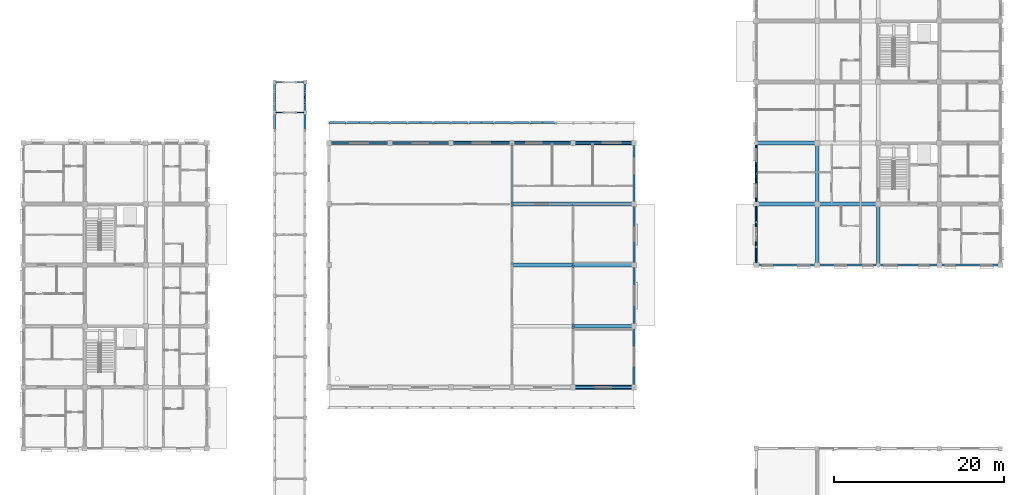
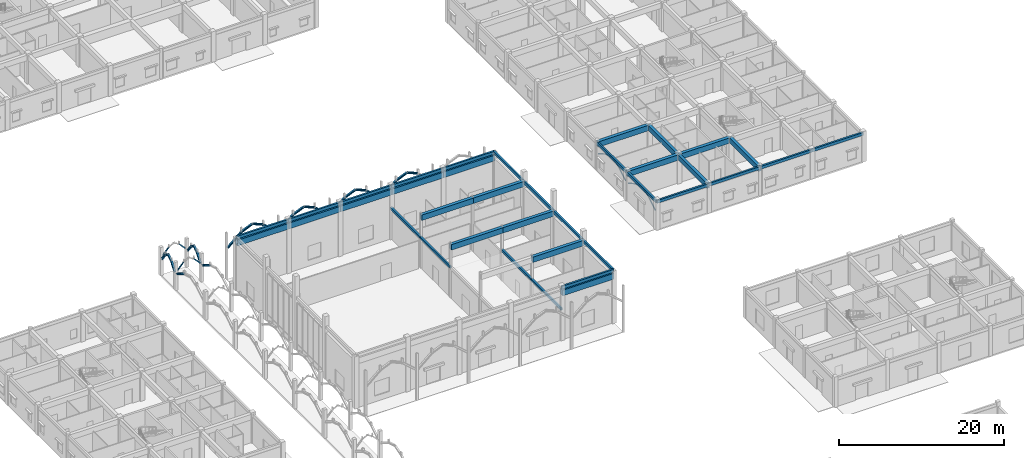
# One storey, part 26 of 138: 37 beams, 37 members.
"""IFC4 building model written with IfcOpenShell, lengths in metres."""

from ifc_helpers import new_model, si_unit, direction, frame, origin, origin_2d, place, context, subcontext, project, spatial, rectangle, hollow_rectangle, i_section, extrude, material, material_profile, profile_set, type_object, element, save


model = new_model("IFC4")

# Units and contexts
model_context = context("Model", 3, precision=1e-05, world=origin(), true_north=direction((0.0, 1.0)))
body_context = subcontext(model_context, "Body", "Model", "MODEL_VIEW")
ifc_project = project(units=[si_unit("LENGTHUNIT", "METRE"), si_unit("AREAUNIT", "SQUARE_METRE"), si_unit("VOLUMEUNIT", "CUBIC_METRE"), si_unit("PLANEANGLEUNIT", "RADIAN"), si_unit("MASSUNIT", "GRAM", prefix="KILO"), si_unit("THERMODYNAMICTEMPERATUREUNIT", "KELVIN"), si_unit("POWERUNIT", "WATT")], contexts=[model_context])

# Site, building, storey
site_placement = place(None, origin())
site = spatial("IfcSite", under=ifc_project, at=site_placement, CompositionType="ELEMENT")
building_placement = place(site_placement, origin())
building = spatial("IfcBuilding", under=site, at=building_placement, Name="Tavuni Mirador Residences", CompositionType="ELEMENT")
storey_placement = place(building_placement, origin())
storey = spatial("IfcBuildingStorey", under=building, at=storey_placement, Name="L00", CompositionType="ELEMENT", Elevation=0.0)

# Beams
ifc_material_1 = material(Name="Precast concrete C40/50", Category="concrete")
ifc_material_profile_1 = material_profile(ifc_material_1, rectangle(XDim=0.39990234375, YDim=0.75, at=origin_2d()), Name="RC 400x750", Category="concrete")
ifc_profile_set_1 = profile_set([ifc_material_profile_1], Name="Precast concrete C40/50")
beam_type_1 = type_object("IfcBeamType", Name="BT-G750", PredefinedType="USERDEFINED", material=ifc_profile_set_1)
beam_1_placement = place(storey_placement, frame((97.199951171875, 86.39990234375, 3.864990234375), z_axis=(0.0, 1.0, 0.0), x_axis=(-1.0, 0.0, 0.0)))
element("IfcBeam", 1, at=beam_1_placement, inside=storey, type_object=beam_type_1, Name="BMY-BLK-D-L00-01-00", ObjectType="GIRDER", PredefinedType="USERDEFINED", context=body_context, shape_type="SweptSolid", body=[
    extrude(rectangle(XDim=0.39990234375, YDim=0.75, at=origin_2d()), origin(), (0.0, 0.0, 1.0), 7.2001953125),
])
beam_2_placement = place(storey_placement, frame((97.199951171875, 93.60009765625, 3.864990234375), z_axis=(0.0, 1.0, 0.0), x_axis=(-1.0, 0.0, 0.0)))
element("IfcBeam", 2, at=beam_2_placement, inside=storey, type_object=beam_type_1, Name="BMY-BLK-D-L00-01-01", ObjectType="GIRDER", PredefinedType="USERDEFINED", context=body_context, shape_type="SweptSolid", body=[
    extrude(rectangle(XDim=0.39990234375, YDim=0.75, at=origin_2d()), origin(), (0.0, 0.0, 1.0), 7.199951171875),
])
beam_3_placement = place(storey_placement, frame((104.39990234375, 86.39990234375, 3.864990234375), z_axis=(0.0, 1.0, 0.0), x_axis=(-1.0, 0.0, 0.0)))
element("IfcBeam", 3, at=beam_3_placement, inside=storey, type_object=beam_type_1, Name="BMY-BLK-D-L00-02-00", ObjectType="GIRDER", PredefinedType="USERDEFINED", context=body_context, shape_type="SweptSolid", body=[
    extrude(rectangle(XDim=0.39990234375, YDim=0.75, at=origin_2d()), origin(), (0.0, 0.0, 1.0), 7.2001953125),
])
ifc_material_profile_2 = material_profile(ifc_material_1, rectangle(XDim=0.449951171875, YDim=0.800048828125, at=origin_2d()), Name="RC 450x800", Category="concrete")
ifc_profile_set_2 = profile_set([ifc_material_profile_2], Name="Precast concrete C40/50")
beam_type_2 = type_object("IfcBeamType", Name="BT-G800", PredefinedType="USERDEFINED", material=ifc_profile_set_2)
for number, where, z_axis, x_axis, name in (
    (4, (90.0, 93.60009765625, 3.840087890625), (1.0, 0.0, 0.0), (0.0, 1.0, 0.0), "BMX-BLK-D-L00-00-01"),
    (5, (97.199951171875, 93.60009765625, 3.840087890625), (1.0, 0.0, 0.0), (0.0, 1.0, 0.0), "BMX-BLK-D-L00-01-01"),
    (6, (90.0, 100.800048828125, 3.840087890625), (1.0, 0.0, 0.0), (0.0, 1.0, 0.0), "BMX-BLK-D-L00-00-02"),
):
    element("IfcBeam", number, at=place(storey_placement, frame(where, z_axis=z_axis, x_axis=x_axis)), inside=storey, type_object=beam_type_2, Name=name, ObjectType="GIRDER", PredefinedType="USERDEFINED", context=body_context, shape_type="SweptSolid", body=[
        extrude(rectangle(XDim=0.449951171875, YDim=0.800048828125, at=origin_2d()), origin(), (0.0, 0.0, 1.0), 7.199951171875),
    ])
beam_4_placement = place(storey_placement, frame((68.39990234375, 79.199951171875, 7.469970703125), z_axis=(1.0, 0.0, 0.0), x_axis=(0.0, 1.0, 0.0)))
element("IfcBeam", 7, at=beam_4_placement, inside=storey, type_object=beam_type_2, Name="BMX-PAV-HALL-L00-04-01", ObjectType="GIRDER", PredefinedType="USERDEFINED", context=body_context, shape_type="SweptSolid", body=[
    extrude(rectangle(XDim=0.449951171875, YDim=0.800048828125, at=origin_2d()), origin(), (0.0, 0.0, 1.0), 7.2001953125),
])
beam_5_placement = place(storey_placement, frame((61.199951171875, 86.39990234375, 7.469970703125), z_axis=(1.0, 0.0, 0.0), x_axis=(0.0, 1.0, 0.0)))
element("IfcBeam", 8, at=beam_5_placement, inside=storey, type_object=beam_type_2, Name="BMX-PAV-HALL-L00-03-02", ObjectType="GIRDER", PredefinedType="USERDEFINED", context=body_context, shape_type="SweptSolid", body=[
    extrude(rectangle(XDim=0.449951171875, YDim=0.800048828125, at=origin_2d()), origin(), (0.0, 0.0, 1.0), 7.199951171875),
])
beam_6_placement = place(storey_placement, frame((68.39990234375, 86.39990234375, 7.469970703125), z_axis=(1.0, 0.0, 0.0), x_axis=(0.0, 1.0, 0.0)))
element("IfcBeam", 9, at=beam_6_placement, inside=storey, type_object=beam_type_2, Name="BMX-PAV-HALL-L00-04-02", ObjectType="GIRDER", PredefinedType="USERDEFINED", context=body_context, shape_type="SweptSolid", body=[
    extrude(rectangle(XDim=0.449951171875, YDim=0.800048828125, at=origin_2d()), origin(), (0.0, 0.0, 1.0), 7.2001953125),
])
beam_7_placement = place(storey_placement, frame((61.199951171875, 93.60009765625, 7.469970703125), z_axis=(1.0, 0.0, 0.0), x_axis=(0.0, 1.0, 0.0)))
element("IfcBeam", 10, at=beam_7_placement, inside=storey, type_object=beam_type_2, Name="BMX-PAV-HALL-L00-03-03", ObjectType="GIRDER", PredefinedType="USERDEFINED", context=body_context, shape_type="SweptSolid", body=[
    extrude(rectangle(XDim=0.449951171875, YDim=0.800048828125, at=origin_2d()), origin(), (0.0, 0.0, 1.0), 7.199951171875),
])
beam_8_placement = place(storey_placement, frame((68.39990234375, 93.60009765625, 7.469970703125), z_axis=(1.0, 0.0, 0.0), x_axis=(0.0, 1.0, 0.0)))
element("IfcBeam", 11, at=beam_8_placement, inside=storey, type_object=beam_type_2, Name="BMX-PAV-HALL-L00-04-03", ObjectType="GIRDER", PredefinedType="USERDEFINED", context=body_context, shape_type="SweptSolid", body=[
    extrude(rectangle(XDim=0.449951171875, YDim=0.800048828125, at=origin_2d()), origin(), (0.0, 0.0, 1.0), 7.2001953125),
])
ifc_material_profile_3 = material_profile(ifc_material_1, rectangle(XDim=0.5, YDim=0.85009765625, at=origin_2d()), Name="RC 500x850", Category="concrete")
ifc_profile_set_3 = profile_set([ifc_material_profile_3], Name="Precast concrete C40/50")
beam_type_3 = type_object("IfcBeamType", Name="BT-G850", PredefinedType="USERDEFINED", material=ifc_profile_set_3)
beam_9_placement = place(storey_placement, frame((68.39990234375, 72.0, 6.949951171875), z_axis=(1.0, 0.0, 0.0), x_axis=(0.0, 1.0, 0.0)))
element("IfcBeam", 12, at=beam_9_placement, inside=storey, type_object=beam_type_3, Name="HALL-RING-S-05", ObjectType="GIRDER", PredefinedType="USERDEFINED", context=body_context, shape_type="SweptSolid", body=[
    extrude(rectangle(XDim=0.5, YDim=0.85009765625, at=origin_2d()), origin(), (0.0, 0.0, 1.0), 7.2001953125),
])
for number, where, z_axis, x_axis, name in (
    (13, (39.60009765625, 100.800048828125, 6.949951171875), (1.0, 0.0, 0.0), (0.0, 1.0, 0.0), "HALL-RING-N-01"),
    (14, (46.800048828125, 100.800048828125, 6.949951171875), (1.0, 0.0, 0.0), (0.0, 1.0, 0.0), "HALL-RING-N-02"),
    (15, (54.0, 100.800048828125, 6.949951171875), (1.0, 0.0, 0.0), (0.0, 1.0, 0.0), "HALL-RING-N-03"),
    (16, (61.199951171875, 100.800048828125, 6.949951171875), (1.0, 0.0, 0.0), (0.0, 1.0, 0.0), "HALL-RING-N-04"),
):
    element("IfcBeam", number, at=place(storey_placement, frame(where, z_axis=z_axis, x_axis=x_axis)), inside=storey, type_object=beam_type_3, Name=name, ObjectType="GIRDER", PredefinedType="USERDEFINED", context=body_context, shape_type="SweptSolid", body=[
        extrude(rectangle(XDim=0.5, YDim=0.85009765625, at=origin_2d()), origin(), (0.0, 0.0, 1.0), 7.199951171875),
    ])
beam_10_placement = place(storey_placement, frame((68.39990234375, 100.800048828125, 6.949951171875), z_axis=(1.0, 0.0, 0.0), x_axis=(0.0, 1.0, 0.0)))
element("IfcBeam", 17, at=beam_10_placement, inside=storey, type_object=beam_type_3, Name="HALL-RING-N-05", ObjectType="GIRDER", PredefinedType="USERDEFINED", context=body_context, shape_type="SweptSolid", body=[
    extrude(rectangle(XDim=0.5, YDim=0.85009765625, at=origin_2d()), origin(), (0.0, 0.0, 1.0), 7.2001953125),
])
ifc_material_profile_4 = material_profile(ifc_material_1, rectangle(XDim=0.25, YDim=0.35009765625, at=origin_2d()), Name="PC 250x350", Category="concrete")
ifc_profile_set_4 = profile_set([ifc_material_profile_4], Name="Precast concrete C40/50")
beam_type_4 = type_object("IfcBeamType", Name="BT-LN350", PredefinedType="LINTEL", material=ifc_profile_set_4)
beam_11_placement = place(storey_placement, frame((61.199951171875, 86.39990234375, 4.449951171875), z_axis=(0.0, 1.0, 0.0), x_axis=(-1.0, 0.0, 0.0)))
element("IfcBeam", 18, at=beam_11_placement, inside=storey, type_object=beam_type_4, Name="LNT-HALL-F-03", PredefinedType="LINTEL", context=body_context, shape_type="SweptSolid", body=[
    extrude(rectangle(XDim=0.25, YDim=0.35009765625, at=origin_2d()), origin(), (0.0, 0.0, 1.0), 7.2001953125),
])
for number, where, z_axis, x_axis, name in (
    (19, (61.199951171875, 93.60009765625, 4.449951171875), (0.0, 1.0, 0.0), (-1.0, 0.0, 0.0), "LNT-HALL-F-04"),
    (20, (68.39990234375, 72.0, 4.449951171875), (0.0, 1.0, 0.0), (-1.0, 0.0, 0.0), "LNT-HALL-E-01"),
    (21, (68.39990234375, 79.199951171875, 4.449951171875), (0.0, 1.0, 0.0), (-1.0, 0.0, 0.0), "LNT-HALL-E-02"),
):
    element("IfcBeam", number, at=place(storey_placement, frame(where, z_axis=z_axis, x_axis=x_axis)), inside=storey, type_object=beam_type_4, Name=name, PredefinedType="LINTEL", context=body_context, shape_type="SweptSolid", body=[
        extrude(rectangle(XDim=0.25, YDim=0.35009765625, at=origin_2d()), origin(), (0.0, 0.0, 1.0), 7.199951171875),
    ])
ifc_material_profile_5 = material_profile(ifc_material_1, rectangle(XDim=0.25, YDim=0.419921875, at=origin_2d()), Name="PC 250x420", Category="concrete")
ifc_profile_set_5 = profile_set([ifc_material_profile_5], Name="Precast concrete C40/50")
beam_type_5 = type_object("IfcBeamType", Name="BT-SP420", PredefinedType="SPANDREL", material=ifc_profile_set_5)
for number, where, z_axis, x_axis, name in (
    (22, (90.0, 86.39990234375, 4.030029296875), (1.0, 0.0, 0.0), (0.0, 1.0, 0.0), "BMX-BLK-D-L00-00-00"),
    (23, (97.199951171875, 86.39990234375, 4.030029296875), (1.0, 0.0, 0.0), (0.0, 1.0, 0.0), "BMX-BLK-D-L00-01-00"),
):
    element("IfcBeam", number, at=place(storey_placement, frame(where, z_axis=z_axis, x_axis=x_axis)), inside=storey, type_object=beam_type_5, Name=name, PredefinedType="SPANDREL", context=body_context, shape_type="SweptSolid", body=[
        extrude(rectangle(XDim=0.25, YDim=0.419921875, at=origin_2d()), origin(), (0.0, 0.0, 1.0), 7.199951171875),
    ])
beam_12_placement = place(storey_placement, frame((104.39990234375, 86.39990234375, 4.030029296875), z_axis=(1.0, 0.0, 0.0), x_axis=(0.0, 1.0, 0.0)))
element("IfcBeam", 24, at=beam_12_placement, inside=storey, type_object=beam_type_5, Name="BMX-BLK-D-L00-02-00", PredefinedType="SPANDREL", context=body_context, shape_type="SweptSolid", body=[
    extrude(rectangle(XDim=0.25, YDim=0.419921875, at=origin_2d()), origin(), (0.0, 0.0, 1.0), 7.2001953125),
])
beam_13_placement = place(storey_placement, frame((111.60009765625, 86.39990234375, 4.030029296875), z_axis=(1.0, 0.0, 0.0), x_axis=(0.0, 1.0, 0.0)))
element("IfcBeam", 25, at=beam_13_placement, inside=storey, type_object=beam_type_5, Name="BMX-BLK-D-L00-03-00", PredefinedType="SPANDREL", context=body_context, shape_type="SweptSolid", body=[
    extrude(rectangle(XDim=0.25, YDim=0.419921875, at=origin_2d()), origin(), (0.0, 0.0, 1.0), 7.199951171875),
])
beam_14_placement = place(storey_placement, frame((90.0, 86.39990234375, 4.030029296875), z_axis=(0.0, 1.0, 0.0), x_axis=(-1.0, 0.0, 0.0)))
element("IfcBeam", 26, at=beam_14_placement, inside=storey, type_object=beam_type_5, Name="BMY-BLK-D-L00-00-00", PredefinedType="SPANDREL", context=body_context, shape_type="SweptSolid", body=[
    extrude(rectangle(XDim=0.25, YDim=0.419921875, at=origin_2d()), origin(), (0.0, 0.0, 1.0), 7.2001953125),
])
beam_15_placement = place(storey_placement, frame((90.0, 93.60009765625, 4.030029296875), z_axis=(0.0, 1.0, 0.0), x_axis=(-1.0, 0.0, 0.0)))
element("IfcBeam", 27, at=beam_15_placement, inside=storey, type_object=beam_type_5, Name="BMY-BLK-D-L00-00-01", PredefinedType="SPANDREL", context=body_context, shape_type="SweptSolid", body=[
    extrude(rectangle(XDim=0.25, YDim=0.419921875, at=origin_2d()), origin(), (0.0, 0.0, 1.0), 7.199951171875),
])
beam_16_placement = place(storey_placement, frame((68.39990234375, 72.0, 7.659912109375), z_axis=(1.0, 0.0, 0.0), x_axis=(0.0, 1.0, 0.0)))
element("IfcBeam", 28, at=beam_16_placement, inside=storey, type_object=beam_type_5, Name="BMX-PAV-HALL-L00-04-00", PredefinedType="SPANDREL", context=body_context, shape_type="SweptSolid", body=[
    extrude(rectangle(XDim=0.25, YDim=0.419921875, at=origin_2d()), origin(), (0.0, 0.0, 1.0), 7.2001953125),
])
for number, where, z_axis, x_axis, name in (
    (29, (39.60009765625, 100.800048828125, 7.659912109375), (1.0, 0.0, 0.0), (0.0, 1.0, 0.0), "BMX-PAV-HALL-L00-00-04"),
    (30, (46.800048828125, 100.800048828125, 7.659912109375), (1.0, 0.0, 0.0), (0.0, 1.0, 0.0), "BMX-PAV-HALL-L00-01-04"),
    (31, (54.0, 100.800048828125, 7.659912109375), (1.0, 0.0, 0.0), (0.0, 1.0, 0.0), "BMX-PAV-HALL-L00-02-04"),
    (32, (61.199951171875, 100.800048828125, 7.659912109375), (1.0, 0.0, 0.0), (0.0, 1.0, 0.0), "BMX-PAV-HALL-L00-03-04"),
):
    element("IfcBeam", number, at=place(storey_placement, frame(where, z_axis=z_axis, x_axis=x_axis)), inside=storey, type_object=beam_type_5, Name=name, PredefinedType="SPANDREL", context=body_context, shape_type="SweptSolid", body=[
        extrude(rectangle(XDim=0.25, YDim=0.419921875, at=origin_2d()), origin(), (0.0, 0.0, 1.0), 7.199951171875),
    ])
beam_17_placement = place(storey_placement, frame((68.39990234375, 100.800048828125, 7.659912109375), z_axis=(1.0, 0.0, 0.0), x_axis=(0.0, 1.0, 0.0)))
element("IfcBeam", 33, at=beam_17_placement, inside=storey, type_object=beam_type_5, Name="BMX-PAV-HALL-L00-04-04", PredefinedType="SPANDREL", context=body_context, shape_type="SweptSolid", body=[
    extrude(rectangle(XDim=0.25, YDim=0.419921875, at=origin_2d()), origin(), (0.0, 0.0, 1.0), 7.2001953125),
])
for number, where, z_axis, x_axis, name in (
    (34, (75.60009765625, 72.0, 7.659912109375), (0.0, 1.0, 0.0), (-1.0, 0.0, 0.0), "BMY-PAV-HALL-L00-05-00"),
    (35, (75.60009765625, 79.199951171875, 7.659912109375), (0.0, 1.0, 0.0), (-1.0, 0.0, 0.0), "BMY-PAV-HALL-L00-05-01"),
):
    element("IfcBeam", number, at=place(storey_placement, frame(where, z_axis=z_axis, x_axis=x_axis)), inside=storey, type_object=beam_type_5, Name=name, PredefinedType="SPANDREL", context=body_context, shape_type="SweptSolid", body=[
        extrude(rectangle(XDim=0.25, YDim=0.419921875, at=origin_2d()), origin(), (0.0, 0.0, 1.0), 7.199951171875),
    ])
beam_18_placement = place(storey_placement, frame((75.60009765625, 86.39990234375, 7.659912109375), z_axis=(0.0, 1.0, 0.0), x_axis=(-1.0, 0.0, 0.0)))
element("IfcBeam", 36, at=beam_18_placement, inside=storey, type_object=beam_type_5, Name="BMY-PAV-HALL-L00-05-02", PredefinedType="SPANDREL", context=body_context, shape_type="SweptSolid", body=[
    extrude(rectangle(XDim=0.25, YDim=0.419921875, at=origin_2d()), origin(), (0.0, 0.0, 1.0), 7.2001953125),
])
beam_19_placement = place(storey_placement, frame((75.60009765625, 93.60009765625, 7.659912109375), z_axis=(0.0, 1.0, 0.0), x_axis=(-1.0, 0.0, 0.0)))
element("IfcBeam", 37, at=beam_19_placement, inside=storey, type_object=beam_type_5, Name="BMY-PAV-HALL-L00-05-03", PredefinedType="SPANDREL", context=body_context, shape_type="SweptSolid", body=[
    extrude(rectangle(XDim=0.25, YDim=0.419921875, at=origin_2d()), origin(), (0.0, 0.0, 1.0), 7.199951171875),
])

# Members
ifc_material_2 = material(Name="Structural steel S355", Category="steel")
ifc_material_profile_6 = material_profile(ifc_material_2, hollow_rectangle(XDim=0.10009765625, YDim=0.14990234375, WallThickness=0.008056640625, at=origin_2d()), Name="RHS 150x100x8.0", Category="steel")
ifc_profile_set_6 = profile_set([ifc_material_profile_6], Name="Structural steel S355")
member_type_1 = type_object("IfcMemberType", Name="MT-BR-RHS150", PredefinedType="BRACE", material=ifc_profile_set_6)
for number, where, z_axis, x_axis, name in (
    (38, (33.409912109375, 104.39990234375, 2.75), (0.680966584085, 0.0, 0.732314489383), (0.0, 1.0, 0.0), "ARCH-COLO-T-07-H1"),
    (39, (35.69970703125, 104.39990234375, 3.70751953125), (0.680966584085, 0.0, -0.732314489383), (0.0, 1.0, 0.0), "ARCH-COLO-T-07-H2"),
    (40, (33.409912109375, 108.0, 2.75), (0.680966584085, 0.0, 0.732314489383), (0.0, 1.0, 0.0), "ARCH-COLO-T-08-H1"),
    (41, (35.69970703125, 108.0, 3.70751953125), (0.680966584085, 0.0, -0.732314489383), (0.0, 1.0, 0.0), "ARCH-COLO-T-08-H2"),
):
    element("IfcMember", number, at=place(storey_placement, frame(where, z_axis=z_axis, x_axis=x_axis)), inside=storey, type_object=member_type_1, Name=name, PredefinedType="BRACE", context=body_context, shape_type="SweptSolid", body=[
        extrude(hollow_rectangle(XDim=0.10009765625, YDim=0.14990234375, WallThickness=0.008056640625, at=origin_2d()), origin(), (0.0, 0.0, 1.0), 1.3076171875),
    ])
member_1_placement = place(storey_placement, frame((90.0, 86.699951171875, 2.550048828125), z_axis=(0.0, 0.866349395397, 0.499438409711), x_axis=(-1.0, 0.0, 0.0)))
element("IfcMember", 42, at=member_1_placement, inside=storey, type_object=member_type_1, Name="ARCH-BLKD-W-00-H1", PredefinedType="BRACE", context=body_context, shape_type="SweptSolid", body=[
    extrude(hollow_rectangle(XDim=0.10009765625, YDim=0.14990234375, WallThickness=0.008056640625, at=origin_2d()), origin(), (0.0, 0.0, 1.0), 2.13330078125),
])
for number, where, z_axis, x_axis, name in (
    (43, (90.0, 88.548095703125, 3.615478515625), (0.0, 0.961572744656, 0.274550280886), (-1.0, 0.0, 0.0), "ARCH-BLKD-W-00-S1"),
    (44, (90.0, 90.0, 4.030029296875), (0.0, 0.961572744656, -0.274550280886), (-1.0, 0.0, 0.0), "ARCH-BLKD-W-00-S2"),
):
    element("IfcMember", number, at=place(storey_placement, frame(where, z_axis=z_axis, x_axis=x_axis)), inside=storey, type_object=member_type_1, Name=name, PredefinedType="BRACE", context=body_context, shape_type="SweptSolid", body=[
        extrude(hollow_rectangle(XDim=0.10009765625, YDim=0.14990234375, WallThickness=0.008056640625, at=origin_2d()), origin(), (0.0, 0.0, 1.0), 1.510009765625),
    ])
for number, where, z_axis, x_axis, name in (
    (45, (90.0, 91.451904296875, 3.615478515625), (0.0, 0.866349395397, -0.499438409711), (-1.0, 0.0, 0.0), "ARCH-BLKD-W-00-H2"),
    (46, (90.0, 93.89990234375, 2.550048828125), (0.0, 0.866349395397, 0.499438409711), (-1.0, 0.0, 0.0), "ARCH-BLKD-W-01-H1"),
):
    element("IfcMember", number, at=place(storey_placement, frame(where, z_axis=z_axis, x_axis=x_axis)), inside=storey, type_object=member_type_1, Name=name, PredefinedType="BRACE", context=body_context, shape_type="SweptSolid", body=[
        extrude(hollow_rectangle(XDim=0.10009765625, YDim=0.14990234375, WallThickness=0.008056640625, at=origin_2d()), origin(), (0.0, 0.0, 1.0), 2.13330078125),
    ])
member_2_placement = place(storey_placement, frame((90.0, 95.748046875, 3.615478515625), z_axis=(0.0, 0.961572744656, 0.274550280886), x_axis=(-1.0, 0.0, 0.0)))
element("IfcMember", 47, at=member_2_placement, inside=storey, type_object=member_type_1, Name="ARCH-BLKD-W-01-S1", PredefinedType="BRACE", context=body_context, shape_type="SweptSolid", body=[
    extrude(hollow_rectangle(XDim=0.10009765625, YDim=0.14990234375, WallThickness=0.008056640625, at=origin_2d()), origin(), (0.0, 0.0, 1.0), 1.510009765625),
])
member_3_placement = place(storey_placement, frame((90.0, 97.199951171875, 4.030029296875), z_axis=(0.0, 0.961584929689, -0.274507600977), x_axis=(-1.0, 0.0, 0.0)))
element("IfcMember", 48, at=member_3_placement, inside=storey, type_object=member_type_1, Name="ARCH-BLKD-W-01-S2", PredefinedType="BRACE", context=body_context, shape_type="SweptSolid", body=[
    extrude(hollow_rectangle(XDim=0.10009765625, YDim=0.14990234375, WallThickness=0.008056640625, at=origin_2d()), origin(), (0.0, 0.0, 1.0), 1.51025390625),
])
member_4_placement = place(storey_placement, frame((90.0, 98.652099609375, 3.615478515625), z_axis=(0.0, 0.866320844112, -0.499487932845), x_axis=(-1.0, 0.0, 0.0)))
element("IfcMember", 49, at=member_4_placement, inside=storey, type_object=member_type_1, Name="ARCH-BLKD-W-01-H2", PredefinedType="BRACE", context=body_context, shape_type="SweptSolid", body=[
    extrude(hollow_rectangle(XDim=0.10009765625, YDim=0.14990234375, WallThickness=0.008056640625, at=origin_2d()), origin(), (0.0, 0.0, 1.0), 2.133056640625),
])
ifc_material_profile_7 = material_profile(ifc_material_2, i_section(OverallWidth=0.239990234375, OverallDepth=0.22998046875, WebThickness=0.007568359375, FlangeThickness=0.011962890625, FilletRadius=0.02099609375, at=origin_2d()), Name="HEA 240", Category="steel")
ifc_profile_set_7 = profile_set([ifc_material_profile_7], Name="Structural steel S355")
member_type_2 = type_object("IfcMemberType", Name="MT-CH-HEA240", PredefinedType="CHORD", material=ifc_profile_set_7)
for number, where, z_axis, x_axis, name in (
    (50, (33.199951171875, 102.29150390625, 3.62353515625), (0.0, 0.850593680007, -0.525823536496), (-1.0, 0.0, 0.0), "ARCH-COLO-W-06-H2"),
    (51, (36.800048828125, 102.29150390625, 3.62353515625), (0.0, 0.850593680007, -0.525823536496), (-1.0, 0.0, 0.0), "ARCH-COLO-E-06-H2"),
):
    element("IfcMember", number, at=place(storey_placement, frame(where, z_axis=z_axis, x_axis=x_axis)), inside=storey, type_object=member_type_2, Name=name, PredefinedType="CHORD", context=body_context, shape_type="SweptSolid", body=[
        extrude(i_section(OverallWidth=0.239990234375, OverallDepth=0.22998046875, WebThickness=0.007568359375, FlangeThickness=0.011962890625, FilletRadius=0.02099609375, at=origin_2d()), origin(), (0.0, 0.0, 1.0), 2.23193359375),
    ])
member_5_placement = place(storey_placement, frame((33.199951171875, 104.610107421875, 2.449951171875), z_axis=(0.0, 0.604419126648, 0.796666504469), x_axis=(-1.0, 0.0, 0.0)))
element("IfcMember", 52, at=member_5_placement, inside=storey, type_object=member_type_2, Name="ARCH-COLO-W-07-H1", PredefinedType="CHORD", context=body_context, shape_type="SweptSolid", body=[
    extrude(i_section(OverallWidth=0.239990234375, OverallDepth=0.22998046875, WebThickness=0.007568359375, FlangeThickness=0.011962890625, FilletRadius=0.02099609375, at=origin_2d()), origin(), (0.0, 0.0, 1.0), 1.47314453125),
])
member_6_placement = place(storey_placement, frame((33.199951171875, 105.50048828125, 3.62353515625), z_axis=(0.0, 0.837407022066, 0.546579801488), x_axis=(-1.0, 0.0, 0.0)))
element("IfcMember", 53, at=member_6_placement, inside=storey, type_object=member_type_2, Name="ARCH-COLO-W-07-S1", PredefinedType="CHORD", context=body_context, shape_type="SweptSolid", body=[
    extrude(i_section(OverallWidth=0.239990234375, OverallDepth=0.22998046875, WebThickness=0.007568359375, FlangeThickness=0.011962890625, FilletRadius=0.02099609375, at=origin_2d()), origin(), (0.0, 0.0, 1.0), 0.835205078125),
])
member_7_placement = place(storey_placement, frame((33.199951171875, 106.199951171875, 4.080078125), z_axis=(0.0, 0.837494311102, -0.54644604388), x_axis=(-1.0, 0.0, 0.0)))
element("IfcMember", 54, at=member_7_placement, inside=storey, type_object=member_type_2, Name="ARCH-COLO-W-07-S2", PredefinedType="CHORD", context=body_context, shape_type="SweptSolid", body=[
    extrude(i_section(OverallWidth=0.239990234375, OverallDepth=0.22998046875, WebThickness=0.007568359375, FlangeThickness=0.011962890625, FilletRadius=0.02099609375, at=origin_2d()), origin(), (0.0, 0.0, 1.0), 0.83544921875),
])
for number, where, z_axis, x_axis, name in (
    (55, (33.199951171875, 106.899658203125, 3.62353515625), (0.0, 0.604419126648, -0.796666504469), (-1.0, 0.0, 0.0), "ARCH-COLO-W-07-H2"),
    (56, (36.800048828125, 104.610107421875, 2.449951171875), (0.0, 0.604419126648, 0.796666504469), (-1.0, 0.0, 0.0), "ARCH-COLO-E-07-H1"),
):
    element("IfcMember", number, at=place(storey_placement, frame(where, z_axis=z_axis, x_axis=x_axis)), inside=storey, type_object=member_type_2, Name=name, PredefinedType="CHORD", context=body_context, shape_type="SweptSolid", body=[
        extrude(i_section(OverallWidth=0.239990234375, OverallDepth=0.22998046875, WebThickness=0.007568359375, FlangeThickness=0.011962890625, FilletRadius=0.02099609375, at=origin_2d()), origin(), (0.0, 0.0, 1.0), 1.47314453125),
    ])
member_8_placement = place(storey_placement, frame((36.800048828125, 105.50048828125, 3.62353515625), z_axis=(0.0, 0.837407022066, 0.546579801488), x_axis=(-1.0, 0.0, 0.0)))
element("IfcMember", 57, at=member_8_placement, inside=storey, type_object=member_type_2, Name="ARCH-COLO-E-07-S1", PredefinedType="CHORD", context=body_context, shape_type="SweptSolid", body=[
    extrude(i_section(OverallWidth=0.239990234375, OverallDepth=0.22998046875, WebThickness=0.007568359375, FlangeThickness=0.011962890625, FilletRadius=0.02099609375, at=origin_2d()), origin(), (0.0, 0.0, 1.0), 0.835205078125),
])
member_9_placement = place(storey_placement, frame((36.800048828125, 106.199951171875, 4.080078125), z_axis=(0.0, 0.837494311102, -0.54644604388), x_axis=(-1.0, 0.0, 0.0)))
element("IfcMember", 58, at=member_9_placement, inside=storey, type_object=member_type_2, Name="ARCH-COLO-E-07-S2", PredefinedType="CHORD", context=body_context, shape_type="SweptSolid", body=[
    extrude(i_section(OverallWidth=0.239990234375, OverallDepth=0.22998046875, WebThickness=0.007568359375, FlangeThickness=0.011962890625, FilletRadius=0.02099609375, at=origin_2d()), origin(), (0.0, 0.0, 1.0), 0.83544921875),
])
member_10_placement = place(storey_placement, frame((36.800048828125, 106.899658203125, 3.62353515625), z_axis=(0.0, 0.604419126648, -0.796666504469), x_axis=(-1.0, 0.0, 0.0)))
element("IfcMember", 59, at=member_10_placement, inside=storey, type_object=member_type_2, Name="ARCH-COLO-E-07-H2", PredefinedType="CHORD", context=body_context, shape_type="SweptSolid", body=[
    extrude(i_section(OverallWidth=0.239990234375, OverallDepth=0.22998046875, WebThickness=0.007568359375, FlangeThickness=0.011962890625, FilletRadius=0.02099609375, at=origin_2d()), origin(), (0.0, 0.0, 1.0), 1.47314453125),
])
member_11_placement = place(storey_placement, frame((39.719970703125, 103.199951171875, 4.60009765625), z_axis=(0.753289483286, 0.0, 0.657689101606), x_axis=(0.0, 1.0, 0.0)))
element("IfcMember", 60, at=member_11_placement, inside=storey, type_object=member_type_2, Name="ARCH-HALL-N-00-H1", PredefinedType="CHORD", context=body_context, shape_type="SweptSolid", body=[
    extrude(i_section(OverallWidth=0.239990234375, OverallDepth=0.22998046875, WebThickness=0.007568359375, FlangeThickness=0.011962890625, FilletRadius=0.02099609375, at=origin_2d()), origin(), (0.0, 0.0, 1.0), 2.5869140625),
])
for number, where, z_axis, x_axis, name in (
    (61, (41.668701171875, 103.199951171875, 6.301513671875), (0.917921869055, 0.0, 0.39676119053), (0.0, 1.0, 0.0), "ARCH-HALL-N-00-S1"),
    (62, (43.199951171875, 103.199951171875, 6.96337890625), (0.917921869055, 0.0, -0.39676119053), (0.0, 1.0, 0.0), "ARCH-HALL-N-00-S2"),
):
    element("IfcMember", number, at=place(storey_placement, frame(where, z_axis=z_axis, x_axis=x_axis)), inside=storey, type_object=member_type_2, Name=name, PredefinedType="CHORD", context=body_context, shape_type="SweptSolid", body=[
        extrude(i_section(OverallWidth=0.239990234375, OverallDepth=0.22998046875, WebThickness=0.007568359375, FlangeThickness=0.011962890625, FilletRadius=0.02099609375, at=origin_2d()), origin(), (0.0, 0.0, 1.0), 1.668212890625),
    ])
member_12_placement = place(storey_placement, frame((44.731201171875, 103.199951171875, 6.301513671875), z_axis=(0.753289483286, 0.0, -0.657689101606), x_axis=(0.0, 1.0, 0.0)))
element("IfcMember", 63, at=member_12_placement, inside=storey, type_object=member_type_2, Name="ARCH-HALL-N-00-H2", PredefinedType="CHORD", context=body_context, shape_type="SweptSolid", body=[
    extrude(i_section(OverallWidth=0.239990234375, OverallDepth=0.22998046875, WebThickness=0.007568359375, FlangeThickness=0.011962890625, FilletRadius=0.02099609375, at=origin_2d()), origin(), (0.0, 0.0, 1.0), 2.5869140625),
])
member_13_placement = place(storey_placement, frame((46.919921875, 103.199951171875, 4.60009765625), z_axis=(0.753330300669, 0.0, 0.65764234816), x_axis=(0.0, 1.0, 0.0)))
element("IfcMember", 64, at=member_13_placement, inside=storey, type_object=member_type_2, Name="ARCH-HALL-N-01-H1", PredefinedType="CHORD", context=body_context, shape_type="SweptSolid", body=[
    extrude(i_section(OverallWidth=0.239990234375, OverallDepth=0.22998046875, WebThickness=0.007568359375, FlangeThickness=0.011962890625, FilletRadius=0.02099609375, at=origin_2d()), origin(), (0.0, 0.0, 1.0), 2.587158203125),
])
member_14_placement = place(storey_placement, frame((48.868896484375, 103.199951171875, 6.301513671875), z_axis=(0.917898825708, 0.0, 0.396814497926), x_axis=(0.0, 1.0, 0.0)))
element("IfcMember", 65, at=member_14_placement, inside=storey, type_object=member_type_2, Name="ARCH-HALL-N-01-S1", PredefinedType="CHORD", context=body_context, shape_type="SweptSolid", body=[
    extrude(i_section(OverallWidth=0.239990234375, OverallDepth=0.22998046875, WebThickness=0.007568359375, FlangeThickness=0.011962890625, FilletRadius=0.02099609375, at=origin_2d()), origin(), (0.0, 0.0, 1.0), 1.66796875),
])
member_15_placement = place(storey_placement, frame((50.39990234375, 103.199951171875, 6.96337890625), z_axis=(0.917921869055, 0.0, -0.39676119053), x_axis=(0.0, 1.0, 0.0)))
element("IfcMember", 66, at=member_15_placement, inside=storey, type_object=member_type_2, Name="ARCH-HALL-N-01-S2", PredefinedType="CHORD", context=body_context, shape_type="SweptSolid", body=[
    extrude(i_section(OverallWidth=0.239990234375, OverallDepth=0.22998046875, WebThickness=0.007568359375, FlangeThickness=0.011962890625, FilletRadius=0.02099609375, at=origin_2d()), origin(), (0.0, 0.0, 1.0), 1.668212890625),
])
for number, where, z_axis, x_axis, name in (
    (67, (51.93115234375, 103.199951171875, 6.301513671875), (0.753289483286, 0.0, -0.657689101606), (0.0, 1.0, 0.0), "ARCH-HALL-N-01-H2"),
    (68, (54.1201171875, 103.199951171875, 4.60009765625), (0.753289483286, 0.0, 0.657689101606), (0.0, 1.0, 0.0), "ARCH-HALL-N-02-H1"),
):
    element("IfcMember", number, at=place(storey_placement, frame(where, z_axis=z_axis, x_axis=x_axis)), inside=storey, type_object=member_type_2, Name=name, PredefinedType="CHORD", context=body_context, shape_type="SweptSolid", body=[
        extrude(i_section(OverallWidth=0.239990234375, OverallDepth=0.22998046875, WebThickness=0.007568359375, FlangeThickness=0.011962890625, FilletRadius=0.02099609375, at=origin_2d()), origin(), (0.0, 0.0, 1.0), 2.5869140625),
    ])
member_16_placement = place(storey_placement, frame((56.06884765625, 103.199951171875, 6.301513671875), z_axis=(0.917921869055, 0.0, 0.39676119053), x_axis=(0.0, 1.0, 0.0)))
element("IfcMember", 69, at=member_16_placement, inside=storey, type_object=member_type_2, Name="ARCH-HALL-N-02-S1", PredefinedType="CHORD", context=body_context, shape_type="SweptSolid", body=[
    extrude(i_section(OverallWidth=0.239990234375, OverallDepth=0.22998046875, WebThickness=0.007568359375, FlangeThickness=0.011962890625, FilletRadius=0.02099609375, at=origin_2d()), origin(), (0.0, 0.0, 1.0), 1.668212890625),
])
member_17_placement = place(storey_placement, frame((57.60009765625, 103.199951171875, 6.96337890625), z_axis=(0.917898825708, 0.0, -0.396814497926), x_axis=(0.0, 1.0, 0.0)))
element("IfcMember", 70, at=member_17_placement, inside=storey, type_object=member_type_2, Name="ARCH-HALL-N-02-S2", PredefinedType="CHORD", context=body_context, shape_type="SweptSolid", body=[
    extrude(i_section(OverallWidth=0.239990234375, OverallDepth=0.22998046875, WebThickness=0.007568359375, FlangeThickness=0.011962890625, FilletRadius=0.02099609375, at=origin_2d()), origin(), (0.0, 0.0, 1.0), 1.66796875),
])
member_18_placement = place(storey_placement, frame((59.131103515625, 103.199951171875, 6.301513671875), z_axis=(0.753330300669, 0.0, -0.65764234816), x_axis=(0.0, 1.0, 0.0)))
element("IfcMember", 71, at=member_18_placement, inside=storey, type_object=member_type_2, Name="ARCH-HALL-N-02-H2", PredefinedType="CHORD", context=body_context, shape_type="SweptSolid", body=[
    extrude(i_section(OverallWidth=0.239990234375, OverallDepth=0.22998046875, WebThickness=0.007568359375, FlangeThickness=0.011962890625, FilletRadius=0.02099609375, at=origin_2d()), origin(), (0.0, 0.0, 1.0), 2.587158203125),
])
member_19_placement = place(storey_placement, frame((61.320068359375, 103.199951171875, 4.60009765625), z_axis=(0.753289483286, 0.0, 0.657689101606), x_axis=(0.0, 1.0, 0.0)))
element("IfcMember", 72, at=member_19_placement, inside=storey, type_object=member_type_2, Name="ARCH-HALL-N-03-H1", PredefinedType="CHORD", context=body_context, shape_type="SweptSolid", body=[
    extrude(i_section(OverallWidth=0.239990234375, OverallDepth=0.22998046875, WebThickness=0.007568359375, FlangeThickness=0.011962890625, FilletRadius=0.02099609375, at=origin_2d()), origin(), (0.0, 0.0, 1.0), 2.5869140625),
])
for number, where, z_axis, x_axis, name in (
    (73, (63.268798828125, 103.199951171875, 6.301513671875), (0.917921869055, 0.0, 0.39676119053), (0.0, 1.0, 0.0), "ARCH-HALL-N-03-S1"),
    (74, (64.800048828125, 103.199951171875, 6.96337890625), (0.917921869055, 0.0, -0.39676119053), (0.0, 1.0, 0.0), "ARCH-HALL-N-03-S2"),
):
    element("IfcMember", number, at=place(storey_placement, frame(where, z_axis=z_axis, x_axis=x_axis)), inside=storey, type_object=member_type_2, Name=name, PredefinedType="CHORD", context=body_context, shape_type="SweptSolid", body=[
        extrude(i_section(OverallWidth=0.239990234375, OverallDepth=0.22998046875, WebThickness=0.007568359375, FlangeThickness=0.011962890625, FilletRadius=0.02099609375, at=origin_2d()), origin(), (0.0, 0.0, 1.0), 1.668212890625),
    ])

save(model, "model.ifc")
